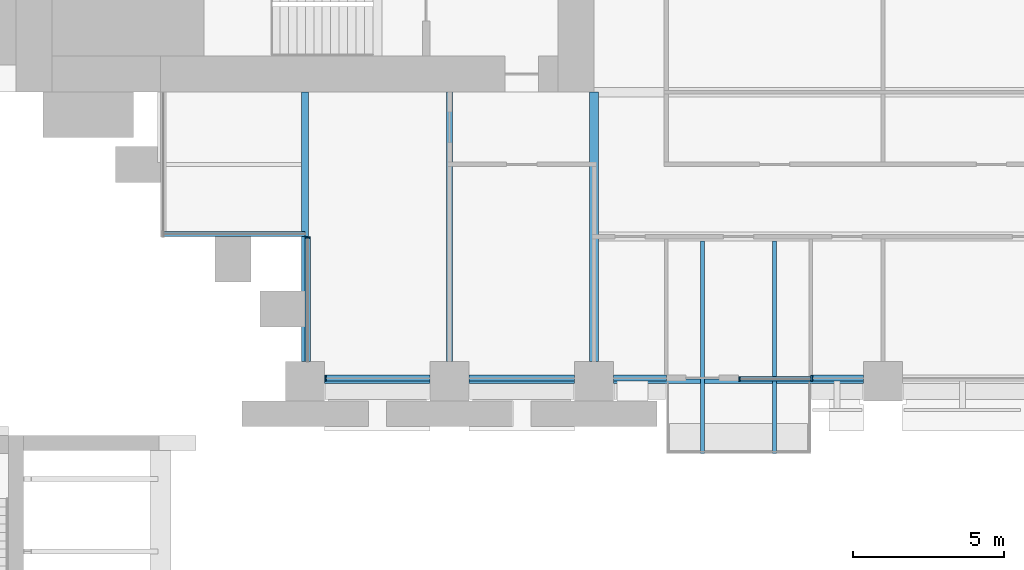
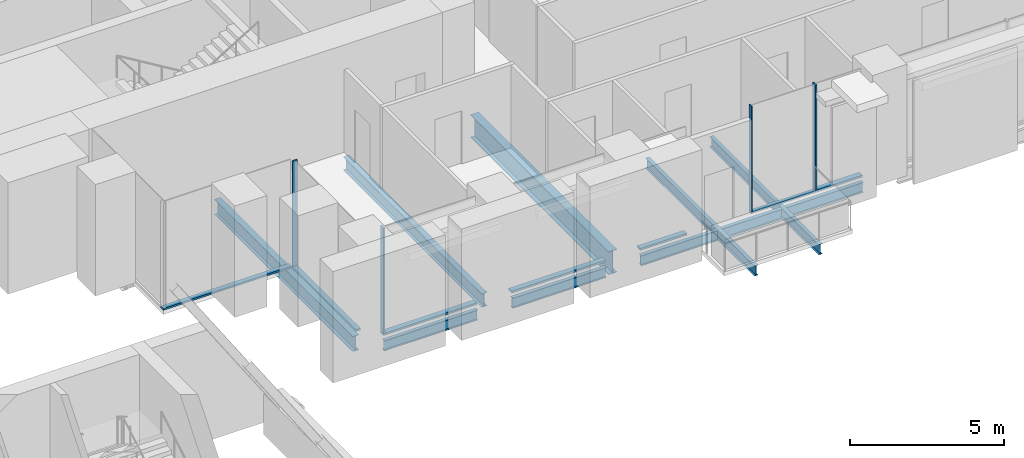
# One storey, part 5 of 32: 11 members, 10 beams, 5 elements without a shape of their own.
"""IFC4 building model written with IfcOpenShell, lengths in metres."""

from ifc_helpers import new_model, si_unit, direction, frame, origin, origin_2d, place, context, subcontext, project, spatial, rectangle, i_section, extrude, material, material_profile, profile_set, type_object, element, aggregate, save


model = new_model("IFC4")

# Units and contexts
model_context = context("Model", 3, precision=1e-05, world=origin(), true_north=direction((0.0, 1.0)))
body_context = subcontext(model_context, "Body", "Model", "MODEL_VIEW")
ifc_project = project(units=[si_unit("LENGTHUNIT", "METRE"), si_unit("AREAUNIT", "SQUARE_METRE"), si_unit("VOLUMEUNIT", "CUBIC_METRE"), si_unit("PLANEANGLEUNIT", "RADIAN"), si_unit("MASSUNIT", "GRAM", prefix="KILO")], contexts=[model_context])

# Site, building, storey
site_placement = place(None, origin())
site = spatial("IfcSite", under=ifc_project, at=site_placement, CompositionType="ELEMENT")
building_placement = place(site_placement, origin())
building = spatial("IfcBuilding", under=site, at=building_placement, Name="Baori Bourse Tower", CompositionType="ELEMENT")
storey_placement = place(building_placement, frame((0.0, 0.0, 21.39990234375)))
storey = spatial("IfcBuildingStorey", under=building, at=storey_placement, Name="L03", CompositionType="ELEMENT", Elevation=21.39990234375)

# Beams
ifc_material_1 = material(Name="Steel A992 Gr 50", Category="steel")
ifc_material_profile_1 = material_profile(ifc_material_1, i_section(OverallWidth=0.140380859375, OverallDepth=0.40380859375, WebThickness=0.007080078125, FlangeThickness=0.01123046875, at=origin_2d()), Name="W16x31")
ifc_profile_set_1 = profile_set([ifc_material_profile_1], Name="Steel A992 Gr 50")
beam_type_1 = type_object("IfcBeamType", Name="Balcony beam W16x31", PredefinedType="BEAM", material=ifc_profile_set_1)
for number, where, z_axis, x_axis, name in (
    (1, (22.800048828125, -2.39990234375, -0.36181640625), (0.0, 1.0, 0.0), (-1.0, 0.0, 0.0), "Balcony beam L03"),
    (2, (25.199951171875, -2.39990234375, -0.36181640625), (0.0, 1.0, 0.0), (-1.0, 0.0, 0.0), "Balcony beam L03"),
):
    element("IfcBeam", number, at=place(storey_placement, frame(where, z_axis=z_axis, x_axis=x_axis)), inside=storey, type_object=beam_type_1, Name=name, PredefinedType="BEAM", context=body_context, shape_type="SweptSolid", body=[
        extrude(i_section(OverallWidth=0.140380859375, OverallDepth=0.40380859375, WebThickness=0.007080078125, FlangeThickness=0.01123046875, at=origin_2d()), origin(), (0.0, 0.0, 1.0), 7.050048828125),
    ])

# Curtain wall, member
ifc_material_2 = material(Name="Pale anodised aluminium", Category="aluminium")
curtain_wall_type_1 = type_object("IfcCurtainWallType", Name="CW1 Curtain wall", PredefinedType="NOTDEFINED", material=ifc_material_2)
curtain_wall_1_placement = place(storey_placement, origin())
curtain_wall_1 = element("IfcCurtainWall", 3, at=curtain_wall_1_placement, inside=storey, type_object=curtain_wall_type_1, Name="Curtain wall CW1 L03 13", PredefinedType="NOTDEFINED")
ifc_material_3 = material(Name="Pale anodised aluminium", Category="aluminium")
ifc_material_profile_2 = material_profile(ifc_material_3, rectangle(XDim=0.199951171875, YDim=0.06005859375, at=origin_2d()), Name="Mullion 60x200")
ifc_profile_set_2 = profile_set([ifc_material_profile_2], Name="Pale anodised aluminium")
member_type_1 = type_object("IfcMemberType", Name="CW1 Curtain wall mullion", PredefinedType="MULLION", material=ifc_profile_set_2)
member_1_placement = place(storey_placement, frame((10.280029296875, 0.10009765625, 0.080078125), z_axis=(0.0, 0.0, 1.0), x_axis=(0.0, 1.0, 0.0)))
member_1 = element("IfcMember", 4, at=member_1_placement, type_object=member_type_1, Name="Curtain wall CW1 mullion", PredefinedType="MULLION", context=body_context, shape_type="SweptSolid", body=[
    extrude(rectangle(XDim=0.199951171875, YDim=0.06005859375, at=origin_2d()), origin(), (0.0, 0.0, 1.0), 4.159912109375),
])

curtain_wall_2_placement = place(storey_placement, origin())
curtain_wall_2 = element("IfcCurtainWall", 5, at=curtain_wall_2_placement, inside=storey, type_object=curtain_wall_type_1, Name="Curtain wall CW1 L03 15", PredefinedType="NOTDEFINED")
member_2_placement = place(storey_placement, frame((26.429931640625, 0.10009765625, 0.080078125), z_axis=(0.0, 0.0, 1.0), x_axis=(0.0, 1.0, 0.0)))
member_2 = element("IfcMember", 6, at=member_2_placement, type_object=member_type_1, Name="Curtain wall CW1 mullion", PredefinedType="MULLION", context=body_context, shape_type="SweptSolid", body=[
    extrude(rectangle(XDim=0.199951171875, YDim=0.06005859375, at=origin_2d()), origin(), (0.0, 0.0, 1.0), 4.159912109375),
])

# Member
ifc_material_4 = material(Name="Pale anodised aluminium", Category="aluminium")
ifc_material_profile_3 = material_profile(ifc_material_4, rectangle(XDim=0.199951171875, YDim=0.080078125, at=origin_2d()), Name="Transom 80x200")
ifc_profile_set_3 = profile_set([ifc_material_profile_3], Name="Pale anodised aluminium")
member_type_2 = type_object("IfcMemberType", Name="CW1 Curtain wall transom", PredefinedType="USERDEFINED", material=ifc_profile_set_3)
member_3_placement = place(storey_placement, frame((10.25, 0.10009765625, 0.0400390625), z_axis=(1.0, 0.0, 0.0), x_axis=(0.0, 1.0, 0.0)))
member_3 = element("IfcMember", 7, at=member_3_placement, type_object=member_type_2, Name="Curtain wall CW1 sill rail", ObjectType="TRANSOM", PredefinedType="USERDEFINED", context=body_context, shape_type="SweptSolid", body=[
    extrude(rectangle(XDim=0.199951171875, YDim=0.080078125, at=origin_2d()), origin(), (0.0, 0.0, 1.0), 3.5),
])

member_4_placement = place(storey_placement, frame((15.050048828125, 0.10009765625, 0.0400390625), z_axis=(1.0, 0.0, 0.0), x_axis=(0.0, 1.0, 0.0)))
member_4 = element("IfcMember", 8, at=member_4_placement, type_object=member_type_2, Name="Curtain wall CW1 sill rail", ObjectType="TRANSOM", PredefinedType="USERDEFINED", context=body_context, shape_type="SweptSolid", body=[
    extrude(rectangle(XDim=0.199951171875, YDim=0.080078125, at=origin_2d()), origin(), (0.0, 0.0, 1.0), 3.5),
])

member_5_placement = place(storey_placement, frame((19.85009765625, 0.10009765625, 0.0400390625), z_axis=(1.0, 0.0, 0.0), x_axis=(0.0, 1.0, 0.0)))
member_5 = element("IfcMember", 9, at=member_5_placement, type_object=member_type_2, Name="Curtain wall CW1 sill rail", ObjectType="TRANSOM", PredefinedType="USERDEFINED", context=body_context, shape_type="SweptSolid", body=[
    extrude(rectangle(XDim=0.199951171875, YDim=0.080078125, at=origin_2d()), origin(), (0.0, 0.0, 1.0), 1.75),
])

aggregate(curtain_wall_1, [member_3, member_1, member_4, member_5])

member_6_placement = place(storey_placement, frame((26.39990234375, 0.10009765625, 0.0400390625), z_axis=(1.0, 0.0, 0.0), x_axis=(0.0, 1.0, 0.0)))
member_6 = element("IfcMember", 10, at=member_6_placement, type_object=member_type_2, Name="Curtain wall CW1 sill rail", ObjectType="TRANSOM", PredefinedType="USERDEFINED", context=body_context, shape_type="SweptSolid", body=[
    extrude(rectangle(XDim=0.199951171875, YDim=0.080078125, at=origin_2d()), origin(), (0.0, 0.0, 1.0), 1.75),
])

aggregate(curtain_wall_2, [member_6, member_2])

# Curtain wall, member
ifc_material_5 = material(Name="Pale anodised aluminium", Category="aluminium")
curtain_wall_type_2 = type_object("IfcCurtainWallType", Name="CW2 Curtain wall", PredefinedType="NOTDEFINED", material=ifc_material_5)
curtain_wall_3_placement = place(storey_placement, origin())
curtain_wall_3 = element("IfcCurtainWall", 11, at=curtain_wall_3_placement, inside=storey, type_object=curtain_wall_type_2, Name="Curtain wall CW2 L03 12", PredefinedType="NOTDEFINED")
ifc_material_6 = material(Name="Pale anodised aluminium", Category="aluminium")
ifc_material_profile_4 = material_profile(ifc_material_6, rectangle(XDim=0.179931640625, YDim=0.054931640625, at=origin_2d()), Name="Mullion 55x180")
ifc_profile_set_4 = profile_set([ifc_material_profile_4], Name="Pale anodised aluminium")
member_type_3 = type_object("IfcMemberType", Name="CW2 Curtain wall mullion", PredefinedType="MULLION", material=ifc_profile_set_4)
member_7_placement = place(storey_placement, frame((9.68994140625, 4.7724609375, 0.070068359375), z_axis=(0.0, 0.0, 1.0), x_axis=(1.0, 0.0, 0.0)))
member_7 = element("IfcMember", 12, at=member_7_placement, type_object=member_type_3, Name="Curtain wall CW2 mullion", PredefinedType="MULLION", context=body_context, shape_type="SweptSolid", body=[
    extrude(rectangle(XDim=0.179931640625, YDim=0.054931640625, at=origin_2d()), origin(), (0.0, 0.0, 1.0), 4.169921875),
])

curtain_wall_4_placement = place(storey_placement, origin())
curtain_wall_4 = element("IfcCurtainWall", 13, at=curtain_wall_4_placement, inside=storey, type_object=curtain_wall_type_2, Name="Curtain wall CW2 L03 11", PredefinedType="NOTDEFINED")
ifc_material_7 = material(Name="Pale anodised aluminium", Category="aluminium")
ifc_material_profile_5 = material_profile(ifc_material_7, rectangle(XDim=0.179931640625, YDim=0.070068359375, at=origin_2d()), Name="Transom 70x180")
ifc_profile_set_5 = profile_set([ifc_material_profile_5], Name="Pale anodised aluminium")
member_type_4 = type_object("IfcMemberType", Name="CW2 Curtain wall transom", PredefinedType="USERDEFINED", material=ifc_profile_set_5)
member_8_placement = place(storey_placement, frame((4.800048828125, 4.889892578125, 0.03515625), z_axis=(1.0, 0.0, 0.0), x_axis=(0.0, 1.0, 0.0)))
member_8 = element("IfcMember", 14, at=member_8_placement, type_object=member_type_4, Name="Curtain wall CW2 sill rail", ObjectType="TRANSOM", PredefinedType="USERDEFINED", context=body_context, shape_type="SweptSolid", body=[
    extrude(rectangle(XDim=0.179931640625, YDim=0.070068359375, at=origin_2d()), origin(), (0.0, 0.0, 1.0), 4.800048828125),
])
aggregate(curtain_wall_4, [member_8])

# Member
member_9_placement = place(storey_placement, frame((9.68994140625, 4.800048828125, 0.03515625), z_axis=(0.0, -1.0, 0.0), x_axis=(1.0, 0.0, 0.0)))
member_9 = element("IfcMember", 15, at=member_9_placement, type_object=member_type_4, Name="Curtain wall CW2 sill rail", ObjectType="TRANSOM", PredefinedType="USERDEFINED", context=body_context, shape_type="SweptSolid", body=[
    extrude(rectangle(XDim=0.179931640625, YDim=0.070068359375, at=origin_2d()), origin(), (0.0, 0.0, 1.0), 4.150146484375),
])

aggregate(curtain_wall_3, [member_9, member_7])

# Curtain wall, members
ifc_material_8 = material(Name="Pale anodised aluminium", Category="aluminium")
curtain_wall_type_3 = type_object("IfcCurtainWallType", Name="CW6 Curtain wall", PredefinedType="NOTDEFINED", material=ifc_material_8)
curtain_wall_5_placement = place(storey_placement, origin())
curtain_wall_5 = element("IfcCurtainWall", 16, at=curtain_wall_5_placement, inside=storey, type_object=curtain_wall_type_3, Name="Curtain wall CW6 L03 14", PredefinedType="NOTDEFINED")
ifc_material_9 = material(Name="Pale anodised aluminium", Category="aluminium")
ifc_material_profile_6 = material_profile(ifc_material_9, rectangle(XDim=0.14990234375, YDim=0.050048828125, at=origin_2d()), Name="Mullion 50x150")
ifc_profile_set_6 = profile_set([ifc_material_profile_6], Name="Pale anodised aluminium")
member_type_5 = type_object("IfcMemberType", Name="CW6 Curtain wall mullion", PredefinedType="MULLION", material=ifc_profile_set_6)
member_10_placement = place(storey_placement, frame((24.02490234375, 0.074951171875, 0.065185546875), z_axis=(0.0, 0.0, 1.0), x_axis=(0.0, 1.0, 0.0)))
member_10 = element("IfcMember", 17, at=member_10_placement, type_object=member_type_5, Name="Curtain wall CW6 mullion", PredefinedType="MULLION", context=body_context, shape_type="SweptSolid", body=[
    extrude(rectangle(XDim=0.14990234375, YDim=0.050048828125, at=origin_2d()), origin(), (0.0, 0.0, 1.0), 4.1748046875),
])
ifc_material_10 = material(Name="Pale anodised aluminium", Category="aluminium")
ifc_material_profile_7 = material_profile(ifc_material_10, rectangle(XDim=0.14990234375, YDim=0.06494140625, at=origin_2d()), Name="Transom 65x150")
ifc_profile_set_7 = profile_set([ifc_material_profile_7], Name="Pale anodised aluminium")
member_type_6 = type_object("IfcMemberType", Name="CW6 Curtain wall transom", PredefinedType="USERDEFINED", material=ifc_profile_set_7)
member_11_placement = place(storey_placement, frame((24.0, 0.074951171875, 0.03271484375), z_axis=(1.0, 0.0, 0.0), x_axis=(0.0, 1.0, 0.0)))
member_11 = element("IfcMember", 18, at=member_11_placement, type_object=member_type_6, Name="Curtain wall CW6 sill rail", ObjectType="TRANSOM", PredefinedType="USERDEFINED", context=body_context, shape_type="SweptSolid", body=[
    extrude(rectangle(XDim=0.14990234375, YDim=0.06494140625, at=origin_2d()), origin(), (0.0, 0.0, 1.0), 2.39990234375),
])
aggregate(curtain_wall_5, [member_11, member_10])

# Beams
ifc_material_11 = material(Name="Steel A992 Gr 50", Category="steel")
ifc_material_profile_8 = material_profile(ifc_material_11, i_section(OverallWidth=0.140380859375, OverallDepth=0.40380859375, WebThickness=0.007080078125, FlangeThickness=0.01123046875, at=origin_2d()), Name="W16x31")
ifc_profile_set_8 = profile_set([ifc_material_profile_8], Name="Steel A992 Gr 50")
beam_type_2 = type_object("IfcBeamType", Name="Edge beam W16x31", PredefinedType="BEAM", material=ifc_profile_set_8)
for number, where, z_axis, x_axis, name in (
    (19, (10.25, 0.0, -0.36181640625), (1.0, 0.0, 0.0), (0.0, 1.0, 0.0), "Edge beam L03"),
    (20, (15.050048828125, 0.0, -0.36181640625), (1.0, 0.0, 0.0), (0.0, 1.0, 0.0), "Edge beam L03"),
):
    element("IfcBeam", number, at=place(storey_placement, frame(where, z_axis=z_axis, x_axis=x_axis)), inside=storey, type_object=beam_type_2, Name=name, PredefinedType="BEAM", context=body_context, shape_type="SweptSolid", body=[
        extrude(i_section(OverallWidth=0.140380859375, OverallDepth=0.40380859375, WebThickness=0.007080078125, FlangeThickness=0.01123046875, at=origin_2d()), origin(), (0.0, 0.0, 1.0), 3.5),
    ])
beam_1_placement = place(storey_placement, frame((19.85009765625, 0.0, -0.36181640625), z_axis=(1.0, 0.0, 0.0), x_axis=(0.0, 1.0, 0.0)))
element("IfcBeam", 21, at=beam_1_placement, inside=storey, type_object=beam_type_2, Name="Edge beam L03", PredefinedType="BEAM", context=body_context, shape_type="SweptSolid", body=[
    extrude(i_section(OverallWidth=0.140380859375, OverallDepth=0.40380859375, WebThickness=0.007080078125, FlangeThickness=0.01123046875, at=origin_2d()), origin(), (0.0, 0.0, 1.0), 2.879638671875),
])
beam_2_placement = place(storey_placement, frame((22.8701171875, 0.0, -0.36181640625), z_axis=(1.0, 0.0, 0.0), x_axis=(0.0, 1.0, 0.0)))
element("IfcBeam", 22, at=beam_2_placement, inside=storey, type_object=beam_type_2, Name="Edge beam L03", PredefinedType="BEAM", context=body_context, shape_type="SweptSolid", body=[
    extrude(i_section(OverallWidth=0.140380859375, OverallDepth=0.40380859375, WebThickness=0.007080078125, FlangeThickness=0.01123046875, at=origin_2d()), origin(), (0.0, 0.0, 1.0), 2.259765625),
])
beam_3_placement = place(storey_placement, frame((25.270263671875, 0.0, -0.36181640625), z_axis=(1.0, 0.0, 0.0), x_axis=(0.0, 1.0, 0.0)))
element("IfcBeam", 23, at=beam_3_placement, inside=storey, type_object=beam_type_2, Name="Edge beam L03", PredefinedType="BEAM", context=body_context, shape_type="SweptSolid", body=[
    extrude(i_section(OverallWidth=0.140380859375, OverallDepth=0.40380859375, WebThickness=0.007080078125, FlangeThickness=0.01123046875, at=origin_2d()), origin(), (0.0, 0.0, 1.0), 2.879638671875),
])
ifc_material_12 = material(Name="Steel A992 Gr 50", Category="steel")
ifc_material_profile_9 = material_profile(ifc_material_12, i_section(OverallWidth=0.209228515625, OverallDepth=0.533447265625, WebThickness=0.01025390625, FlangeThickness=0.015625, at=origin_2d()), Name="W21x62")
ifc_profile_set_9 = profile_set([ifc_material_profile_9], Name="Steel A992 Gr 50")
beam_type_3 = type_object("IfcBeamType", Name="Floor beam W21x62", PredefinedType="BEAM", material=ifc_profile_set_9)
beam_4_placement = place(storey_placement, frame((14.39990234375, 0.64990234375, -0.426513671875), z_axis=(0.0, 1.0, 0.0), x_axis=(-1.0, 0.0, 0.0)))
element("IfcBeam", 24, at=beam_4_placement, inside=storey, type_object=beam_type_3, Name="Floor beam L03", PredefinedType="BEAM", context=body_context, shape_type="SweptSolid", body=[
    extrude(i_section(OverallWidth=0.209228515625, OverallDepth=0.533447265625, WebThickness=0.01025390625, FlangeThickness=0.015625, at=origin_2d()), origin(), (0.0, 0.0, 1.0), 8.9501953125),
])
ifc_material_13 = material(Name="Steel A992 Gr 50", Category="steel")
ifc_material_profile_10 = material_profile(ifc_material_13, i_section(OverallWidth=0.227783203125, OverallDepth=0.60205078125, WebThickness=0.010498046875, FlangeThickness=0.014892578125, at=origin_2d()), Name="W24x68")
ifc_profile_set_10 = profile_set([ifc_material_profile_10], Name="Steel A992 Gr 50")
beam_type_4 = type_object("IfcBeamType", Name="Floor beam W24x68", PredefinedType="BEAM", material=ifc_profile_set_10)
beam_5_placement = place(storey_placement, frame((9.60009765625, 0.64990234375, -0.4609375), z_axis=(0.0, 1.0, 0.0), x_axis=(-1.0, 0.0, 0.0)))
element("IfcBeam", 25, at=beam_5_placement, inside=storey, type_object=beam_type_4, Name="Floor beam L03", PredefinedType="BEAM", context=body_context, shape_type="SweptSolid", body=[
    extrude(i_section(OverallWidth=0.227783203125, OverallDepth=0.60205078125, WebThickness=0.010498046875, FlangeThickness=0.014892578125, at=origin_2d()), origin(), (0.0, 0.0, 1.0), 8.9501953125),
])
ifc_material_14 = material(Name="Steel A992 Gr 50", Category="steel")
ifc_material_profile_11 = material_profile(ifc_material_14, i_section(OverallWidth=0.3046875, OverallDepth=0.904296875, WebThickness=0.01513671875, FlangeThickness=0.02001953125, at=origin_2d()), Name="W36x135")
ifc_profile_set_11 = profile_set([ifc_material_profile_11], Name="Steel A992 Gr 50")
beam_type_5 = type_object("IfcBeamType", Name="Girder W36x135", PredefinedType="BEAM", material=ifc_profile_set_11)
beam_6_placement = place(storey_placement, frame((19.199951171875, 0.64990234375, -0.612060546875), z_axis=(0.0, 1.0, 0.0), x_axis=(-1.0, 0.0, 0.0)))
element("IfcBeam", 26, at=beam_6_placement, inside=storey, type_object=beam_type_5, Name="Girder L03", PredefinedType="BEAM", context=body_context, shape_type="SweptSolid", body=[
    extrude(i_section(OverallWidth=0.3046875, OverallDepth=0.904296875, WebThickness=0.01513671875, FlangeThickness=0.02001953125, at=origin_2d()), origin(), (0.0, 0.0, 1.0), 8.9501953125),
])

save(model, "model.ifc")
